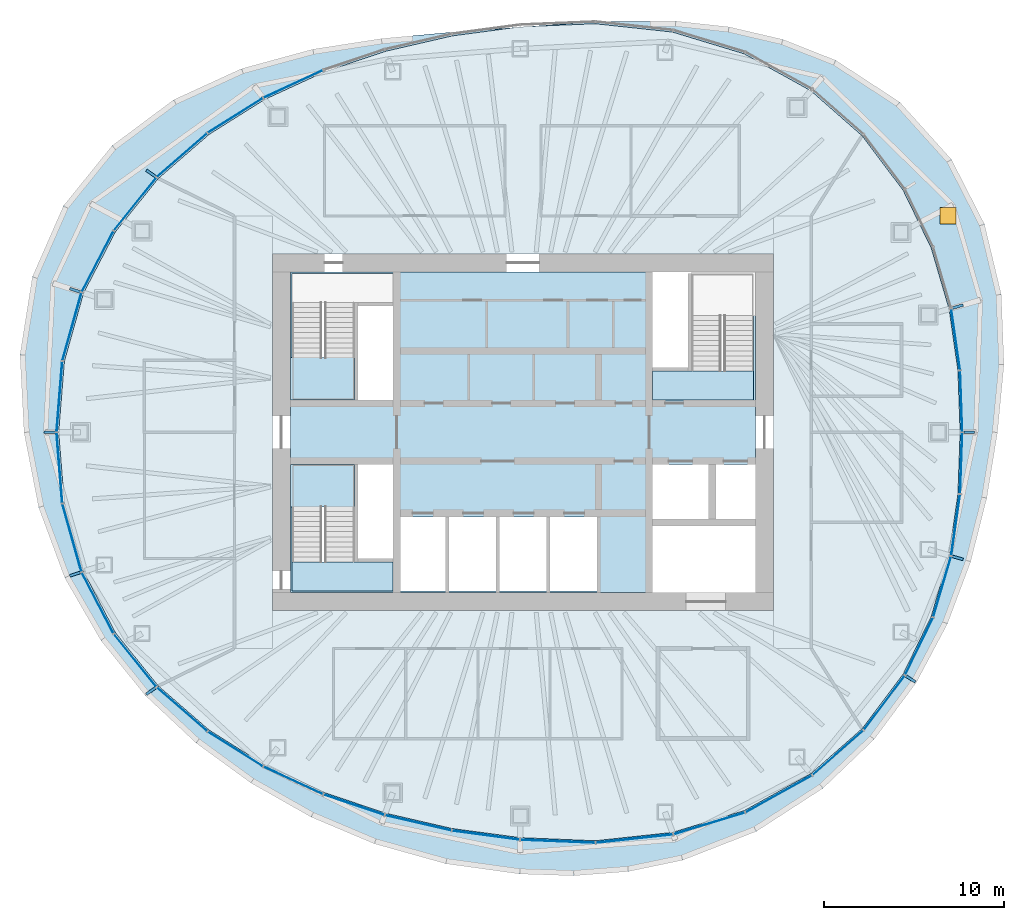
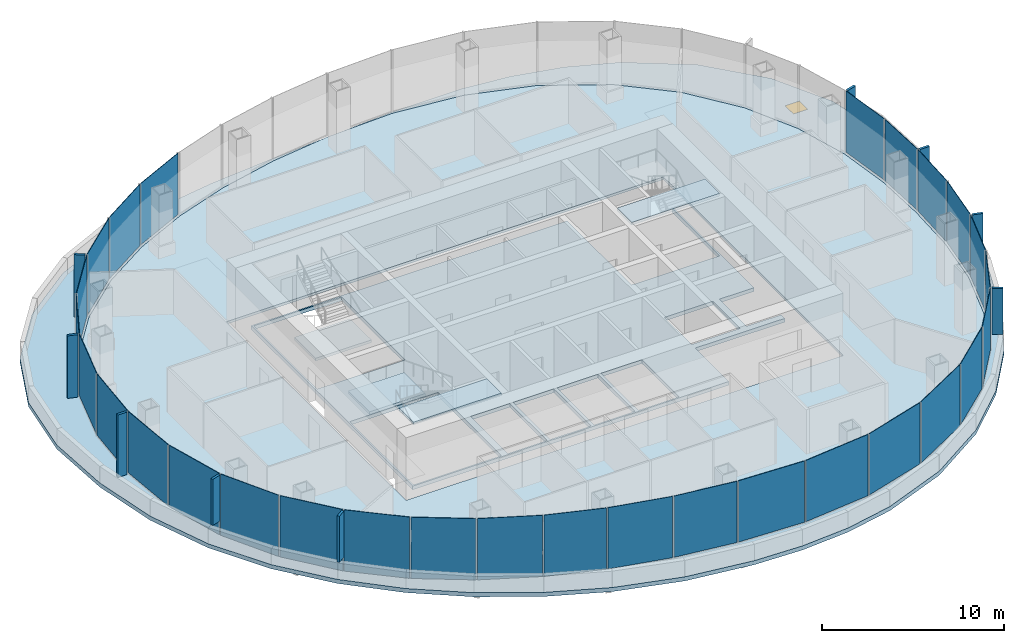
# One storey, part 8 of 13: 38 plates, 7 slabs, 1 window, 1 opening, 18 elements without a shape of their own.
"""IFC4 building model written with IfcOpenShell, lengths in metres."""

import ifcopenshell
import ifcopenshell.guid

model = None  # the IFC model being written
_history = None  # IfcOwnerHistory: only IFC2X3 demands one
_inside = {}  # id of a spatial element -> (the spatial element, [elements in it])
_under = {}  # id of a project, library or spatial element -> (it, [spatial elements below it])
_declared = {}  # id of a project -> (the project, [libraries it declares])
_typed = {}  # id of a type object -> (the type object, [elements of that type])
_made_of = {}  # id of a material, layer set ... -> (it, [elements and type objects made of it])


def new_model(schema):
    """Start an empty IFC model of exactly this schema.

    Asked for "IFC4X3", IfcOpenShell would pick the latest addendum, in which some entities
    have other attributes; the version numbers below select the first issue.
    IFC2X3 requires an IfcOwnerHistory on every rooted entity: one is made here for all.
    """
    global model, _history
    if schema == "IFC4X3":
        model = ifcopenshell.file(schema_version=(4, 3, 0, 0))
    else:
        model = ifcopenshell.file(schema=schema)
    _inside.clear()
    _under.clear()
    _declared.clear()
    _typed.clear()
    _made_of.clear()
    _history = None
    if model.schema == "IFC2X3":
        org = make("IfcOrganization", Name="unknown")
        user = make(
            "IfcPersonAndOrganization",
            ThePerson=make("IfcPerson", FamilyName="unknown"),
            TheOrganization=org,
        )
        app = make(
            "IfcApplication",
            ApplicationDeveloper=org,
            Version="unknown",
            ApplicationFullName="unknown",
            ApplicationIdentifier="unknown",
        )
        _history = make(
            "IfcOwnerHistory",
            OwningUser=user,
            OwningApplication=app,
            ChangeAction="ADDED",
            CreationDate=0,
        )
    return model


def make(cls, **values):
    """One entity of the class cls with the attributes given. An attribute that is None is left unset."""
    return model.create_entity(
        cls, **{name: value for name, value in values.items() if value is not None}
    )


def rooted(cls, **values):
    """An entity with a GlobalId (a new one), such as an element, a storey or a relation."""
    return make(cls, GlobalId=ifcopenshell.guid.new(), OwnerHistory=_history, **values)


def si_unit(unit_type, name, prefix=None):
    """IfcSIUnit, for example si_unit("LENGTHUNIT", "METRE", prefix="MILLI")."""
    return make("IfcSIUnit", UnitType=unit_type, Prefix=prefix, Name=name)


def assignment(units):
    """IfcUnitAssignment: the units of a project."""
    return None if units is None else make("IfcUnitAssignment", Units=units)


def point(xyz):
    """IfcCartesianPoint."""
    return None if xyz is None else make("IfcCartesianPoint", Coordinates=xyz)


def direction(xyz):
    """IfcDirection."""
    return None if xyz is None else make("IfcDirection", DirectionRatios=xyz)


def frame(location, z_axis=None, x_axis=None):
    """IfcAxis2Placement3D, a coordinate frame: its origin and axes. An axis left out is left unset."""
    return make(
        "IfcAxis2Placement3D",
        Location=point(location),
        Axis=direction(z_axis),
        RefDirection=direction(x_axis),
    )


def frame_2d(location, x_axis=None):
    """IfcAxis2Placement2D, a coordinate frame in the plane: its origin and x axis."""
    return make(
        "IfcAxis2Placement2D", Location=point(location), RefDirection=direction(x_axis)
    )


def origin():
    """The frame at (0, 0, 0) with its axes left unset."""
    return frame((0.0, 0.0, 0.0))


def origin_2d():
    """The frame at (0, 0) in the plane with its x axis left unset."""
    return frame_2d((0.0, 0.0))


def place(relative_to, where):
    """IfcLocalPlacement: puts the frame where relative to a parent placement (None: the world)."""
    return make(
        "IfcLocalPlacement", PlacementRelTo=relative_to, RelativePlacement=where
    )


def context(
    kind, dimensions, precision=None, world=None, true_north=None, identifier=None
):
    """IfcGeometricRepresentationContext, for example the 3D "Model" context."""
    return make(
        "IfcGeometricRepresentationContext",
        ContextIdentifier=identifier,
        ContextType=kind,
        CoordinateSpaceDimension=dimensions,
        Precision=precision,
        WorldCoordinateSystem=world,
        TrueNorth=true_north,
    )


def subcontext(parent, identifier, kind, view, scale=None):
    """IfcGeometricRepresentationSubContext, for example "Body" below "Model"."""
    return make(
        "IfcGeometricRepresentationSubContext",
        ContextIdentifier=identifier,
        ContextType=kind,
        ParentContext=parent,
        TargetScale=scale,
        TargetView=view,
    )


def project(units=None, contexts=None):
    """IfcProject with its units and contexts."""
    return rooted(
        "IfcProject",
        Name="project",
        RepresentationContexts=contexts,
        UnitsInContext=assignment(units),
    )


def spatial(cls, under=None, at=None, **own):
    """A site, building, storey or space (cls), placed at a placement, below another one or the project."""
    s = rooted(cls, ObjectPlacement=at, **own)
    if under is not None:
        _under.setdefault(under.id(), (under, []))[1].append(s)
    return s


def polyline(points):
    """IfcPolyline through the points."""
    return make("IfcPolyline", Points=[point(p) for p in points])


def profile(cls, at=None, kind="AREA", **sizes):
    """A parametric profile (cls). Its sizes go by their IFC names, for example OverallWidth=200.0."""
    return make(cls, ProfileType=kind, Position=at, **sizes)


def rectangle(**sizes):
    """IfcRectangleProfileDef."""
    return profile("IfcRectangleProfileDef", **sizes)


def outline(outer, holes=None, kind="AREA"):
    """IfcArbitraryClosedProfileDef: a profile drawn as a closed curve; with holes, ...WithVoids."""
    if holes is None:
        return make("IfcArbitraryClosedProfileDef", ProfileType=kind, OuterCurve=outer)
    return make(
        "IfcArbitraryProfileDefWithVoids",
        ProfileType=kind,
        OuterCurve=outer,
        InnerCurves=holes,
    )


def extrude(swept, where, along, depth):
    """IfcExtrudedAreaSolid: the profile swept, set in the frame where, extruded along a direction by depth."""
    return make(
        "IfcExtrudedAreaSolid",
        SweptArea=swept,
        Position=where,
        ExtrudedDirection=direction(along),
        Depth=depth,
    )


def shape(context_of_items, identifier, shape_type, items):
    """IfcShapeRepresentation: the items that make up one representation, for example the "Body"."""
    return make(
        "IfcShapeRepresentation",
        ContextOfItems=context_of_items,
        RepresentationIdentifier=identifier,
        RepresentationType=shape_type,
        Items=items,
    )


def material(Name=None, Category=None):
    """IfcMaterial."""
    return make("IfcMaterial", Name=Name, Category=Category)


def layer(
    of_material, thickness, ventilated=None, Name=None, Category=None, Priority=None
):
    """IfcMaterialLayer: one layer of a wall or slab, of a material (None: an air gap)."""
    return make(
        "IfcMaterialLayer",
        Material=of_material,
        LayerThickness=thickness,
        IsVentilated=ventilated,
        Name=Name,
        Category=Category,
        Priority=Priority,
    )


def layer_set(layers, Name=None):
    """IfcMaterialLayerSet."""
    return make("IfcMaterialLayerSet", MaterialLayers=layers, LayerSetName=Name)


def made_of(thing, what):
    """Note that an element or type object is made of a material, layer set ...; save() writes the relation."""
    if what is not None:
        _made_of.setdefault(what.id(), (what, []))[1].append(thing)
    return thing


def type_object(cls, material=None, **own):
    """A type object (cls), such as IfcWallType, which elements share."""
    return made_of(rooted(cls, **own), material)


def element(
    cls,
    number,
    at=None,
    inside=None,
    cuts=None,
    type_object=None,
    material=None,
    context=None,
    identifier="Body",
    shape_type=None,
    held_by="IfcProductDefinitionShape",
    body=None,
    shapes=None,
    **own,
):
    """One element of the class cls, such as IfcWall. Its Tag is "e" and its number.

    at: its placement. inside: the storey or other place that contains it. cuts: it is an
    opening in that element (IfcRelVoidsElement). A single representation is given by context,
    identifier, shape_type and body (its items); several are given by shapes. held_by: the class
    of the entity that holds the representations. save() writes the other relations.
    """
    e = rooted(cls, Tag="e%d" % number, ObjectPlacement=at, **own)
    if body is not None:
        shapes = [shape(context, identifier, shape_type, body)]
    if shapes is not None:
        e.Representation = make(held_by, Representations=shapes)
    if inside is not None:
        _inside.setdefault(inside.id(), (inside, []))[1].append(e)
    if cuts is not None:
        rooted(
            "IfcRelVoidsElement", RelatingBuildingElement=cuts, RelatedOpeningElement=e
        )
    if type_object is not None:
        _typed.setdefault(type_object.id(), (type_object, []))[1].append(e)
    return made_of(e, material)


def fill(opening, filler):
    """IfcRelFillsElement: the door or window that sits in an opening."""
    return rooted(
        "IfcRelFillsElement",
        RelatingOpeningElement=opening,
        RelatedBuildingElement=filler,
    )


def aggregate(whole, parts):
    """IfcRelAggregates: a whole, such as a stair, and the parts it consists of."""
    return rooted("IfcRelAggregates", RelatingObject=whole, RelatedObjects=parts)


def save(model, path):
    """Write the relations noted so far, then the file.

    IfcRelAggregates (storeys below a building ...), IfcRelContainedInSpatialStructure (elements
    in a storey), IfcRelDefinesByType, IfcRelAssociatesMaterial and IfcRelDeclares: one each for
    every whole, place, type object, material and project.
    """
    for whole, parts in _under.values():
        aggregate(whole, parts)
    for where, things in _inside.values():
        rooted(
            "IfcRelContainedInSpatialStructure",
            RelatedElements=things,
            RelatingStructure=where,
        )
    for kind, things in _typed.values():
        rooted("IfcRelDefinesByType", RelatedObjects=things, RelatingType=kind)
    for what, things in _made_of.values():
        rooted("IfcRelAssociatesMaterial", RelatedObjects=things, RelatingMaterial=what)
    for by, libraries in _declared.values():
        rooted("IfcRelDeclares", RelatingContext=by, RelatedDefinitions=libraries)
    model.write(path)


model = new_model("IFC4")

# Units and contexts
model_context = context("Model", 3, precision=1e-05, world=origin(), true_north=direction((0.0, 1.0)))
body_context = subcontext(model_context, "Body", "Model", "MODEL_VIEW")
ifc_project = project(units=[si_unit("LENGTHUNIT", "METRE"), si_unit("AREAUNIT", "SQUARE_METRE"), si_unit("VOLUMEUNIT", "CUBIC_METRE"), si_unit("PLANEANGLEUNIT", "RADIAN"), si_unit("MASSUNIT", "GRAM", prefix="KILO")], contexts=[model_context])

# Site, building, storey
site_placement = place(None, origin())
site = spatial("IfcSite", under=ifc_project, at=site_placement, CompositionType="ELEMENT")
building_placement = place(site_placement, origin())
building = spatial("IfcBuilding", under=site, at=building_placement, Name="Ghaith Harvest Tower", CompositionType="ELEMENT")
storey_placement = place(building_placement, frame((0.0, 0.0, 271.199951171875)))
storey = spatial("IfcBuildingStorey", under=building, at=storey_placement, Name="L60", CompositionType="ELEMENT", Elevation=271.199951171875)

# Curtain wall, plates
ifc_material_1 = material(Name="Black anodised aluminium and fritted glass", Category="aluminium")
curtain_wall_type = type_object("IfcCurtainWallType", Name="CW-T CURTAIN WALL", PredefinedType="NOTDEFINED", material=ifc_material_1)
curtain_wall_1_placement = place(storey_placement, origin())
curtain_wall_1 = element("IfcCurtainWall", 1, at=curtain_wall_1_placement, inside=storey, type_object=curtain_wall_type, Name="Curtain wall CW-T bay 01 L60", PredefinedType="NOTDEFINED")
ifc_material_2 = material(Name="Glass, dark solar-control fritted double glazed unit", Category="glass")
ifc_layer_1 = layer(ifc_material_2, 0.033935546875)
ifc_layer_set_1 = layer_set([ifc_layer_1], Name="CW-T VISION PANEL")
plate_type_1 = type_object("IfcPlateType", Name="CW-T VISION PANEL", PredefinedType="CURTAIN_PANEL", material=ifc_layer_set_1)
plate_1_placement = place(storey_placement, frame((24.308837890625, 1.716796875, 0.080078125), z_axis=(0.0, 0.0, 1.0), x_axis=(-0.035536161859, 0.999368391135, 0.0)))
plate_1 = element("IfcPlate", 2, at=plate_1_placement, type_object=plate_type_1, Name="CW-T glass unit 1 bay 01 L60", PredefinedType="CURTAIN_PANEL", context=body_context, shape_type="SweptSolid", body=[
    extrude(rectangle(XDim=3.35595703125, YDim=0.033935546875, at=origin_2d()), origin(), (0.0, 0.0, 1.0), 4.1201171875),
])
plate_2_placement = place(storey_placement, frame((24.00048828125, 5.1494140625, 0.080078125), z_axis=(0.0, 0.0, 1.0), x_axis=(-0.142729771229, 0.989761694755, 0.0)))
plate_2 = element("IfcPlate", 3, at=plate_2_placement, type_object=plate_type_1, Name="CW-T glass unit 2 bay 01 L60", PredefinedType="CURTAIN_PANEL", context=body_context, shape_type="SweptSolid", body=[
    extrude(rectangle(XDim=3.38671875, YDim=0.033935546875, at=origin_2d()), origin(), (0.0, 0.0, 1.0), 4.1201171875),
])
aggregate(curtain_wall_1, [plate_1, plate_2])

# Curtain wall, plate
curtain_wall_2_placement = place(storey_placement, origin())
curtain_wall_2 = element("IfcCurtainWall", 4, at=curtain_wall_2_placement, inside=storey, type_object=curtain_wall_type, Name="Curtain wall CW-T bay 07 L60", PredefinedType="NOTDEFINED")
plate_3_placement = place(storey_placement, frame((-12.736083984375, 19.3203125, 0.080078125), z_axis=(0.0, 0.0, 1.0), x_axis=(-0.907450165401, -0.420159728334, 0.0)))
plate_3 = element("IfcPlate", 5, at=plate_3_placement, type_object=plate_type_1, Name="CW-T glass unit 2 bay 07 L60", PredefinedType="CURTAIN_PANEL", context=body_context, shape_type="SweptSolid", body=[
    extrude(rectangle(XDim=3.597900390625, YDim=0.033935546875, at=origin_2d()), origin(), (0.0, 0.0, 1.0), 4.1201171875),
])
aggregate(curtain_wall_2, [plate_3])

# Curtain wall, plates
curtain_wall_3_placement = place(storey_placement, origin())
curtain_wall_3 = element("IfcCurtainWall", 6, at=curtain_wall_3_placement, inside=storey, type_object=curtain_wall_type, Name="Curtain wall CW-T bay 08 L60", PredefinedType="NOTDEFINED")
plate_4_placement = place(storey_placement, frame((-15.94970703125, 17.57421875, 0.080078125), z_axis=(0.0, 0.0, 1.0), x_axis=(-0.846043473903, -0.533113909279, 0.0)))
plate_4 = element("IfcPlate", 7, at=plate_4_placement, type_object=plate_type_1, Name="CW-T glass unit 1 bay 08 L60", PredefinedType="CURTAIN_PANEL", context=body_context, shape_type="SweptSolid", body=[
    extrude(rectangle(XDim=3.572021484375, YDim=0.033935546875, at=origin_2d()), origin(), (0.0, 0.0, 1.0), 4.1201171875),
])
plate_5_placement = place(storey_placement, frame((-18.909423828125, 15.371337890625, 0.080078125), z_axis=(0.0, 0.0, 1.0), x_axis=(-0.754828549513, -0.655922145411, 0.0)))
plate_5 = element("IfcPlate", 8, at=plate_5_placement, type_object=plate_type_1, Name="CW-T glass unit 2 bay 08 L60", PredefinedType="CURTAIN_PANEL", context=body_context, shape_type="SweptSolid", body=[
    extrude(rectangle(XDim=3.668701171875, YDim=0.033935546875, at=origin_2d()), origin(), (0.0, 0.0, 1.0), 4.1201171875),
])
aggregate(curtain_wall_3, [plate_4, plate_5])

curtain_wall_4_placement = place(storey_placement, origin())
curtain_wall_4 = element("IfcCurtainWall", 9, at=curtain_wall_4_placement, inside=storey, type_object=curtain_wall_type, Name="Curtain wall CW-T bay 09 L60", PredefinedType="NOTDEFINED")
plate_6_placement = place(storey_placement, frame((-21.515380859375, 12.6591796875, 0.080078125), z_axis=(0.0, 0.0, 1.0), x_axis=(-0.626229505742, -0.779638766441, 0.0)))
plate_6 = element("IfcPlate", 10, at=plate_6_placement, type_object=plate_type_1, Name="CW-T glass unit 1 bay 09 L60", PredefinedType="CURTAIN_PANEL", context=body_context, shape_type="SweptSolid", body=[
    extrude(rectangle(XDim=3.723388671875, YDim=0.033935546875, at=origin_2d()), origin(), (0.0, 0.0, 1.0), 4.1201171875),
])
plate_7_placement = place(storey_placement, frame((-23.594482421875, 9.4677734375, 0.080078125), z_axis=(0.0, 0.0, 1.0), x_axis=(-0.461229945578, -0.887280641794, 0.0)))
plate_7 = element("IfcPlate", 11, at=plate_7_placement, type_object=plate_type_1, Name="CW-T glass unit 2 bay 09 L60", PredefinedType="CURTAIN_PANEL", context=body_context, shape_type="SweptSolid", body=[
    extrude(rectangle(XDim=3.771728515625, YDim=0.033935546875, at=origin_2d()), origin(), (0.0, 0.0, 1.0), 4.1201171875),
])
aggregate(curtain_wall_4, [plate_6, plate_7])

curtain_wall_5_placement = place(storey_placement, origin())
curtain_wall_5 = element("IfcCurtainWall", 12, at=curtain_wall_5_placement, inside=storey, type_object=curtain_wall_type, Name="Curtain wall CW-T bay 10 L60", PredefinedType="NOTDEFINED")
plate_8_placement = place(storey_placement, frame((-25.017333984375, 5.85546875, 0.080078125), z_axis=(0.0, 0.0, 1.0), x_axis=(-0.270355239749, -0.962760637095, 0.0)))
plate_8 = element("IfcPlate", 13, at=plate_8_placement, type_object=plate_type_1, Name="CW-T glass unit 1 bay 10 L60", PredefinedType="CURTAIN_PANEL", context=body_context, shape_type="SweptSolid", body=[
    extrude(rectangle(XDim=3.874267578125, YDim=0.033935546875, at=origin_2d()), origin(), (0.0, 0.0, 1.0), 4.1201171875),
])
plate_9_placement = place(storey_placement, frame((-25.7109375, 1.97607421875, 0.080078125), z_axis=(0.0, 0.0, 1.0), x_axis=(-0.080257648011, -0.99677415192, 0.0)))
plate_9 = element("IfcPlate", 14, at=plate_9_placement, type_object=plate_type_1, Name="CW-T glass unit 2 bay 10 L60", PredefinedType="CURTAIN_PANEL", context=body_context, shape_type="SweptSolid", body=[
    extrude(rectangle(XDim=3.884765625, YDim=0.033935546875, at=origin_2d()), origin(), (0.0, 0.0, 1.0), 4.1201171875),
])
aggregate(curtain_wall_5, [plate_8, plate_9])

curtain_wall_6_placement = place(storey_placement, origin())
curtain_wall_6 = element("IfcCurtainWall", 15, at=curtain_wall_6_placement, inside=storey, type_object=curtain_wall_type, Name="Curtain wall CW-T bay 11 L60", PredefinedType="NOTDEFINED")
plate_10_placement = place(storey_placement, frame((-25.7109375, -1.97607421875, 0.080078125), z_axis=(0.0, 0.0, 1.0), x_axis=(0.080257648324, -0.996774151895, 0.0)))
plate_10 = element("IfcPlate", 16, at=plate_10_placement, type_object=plate_type_1, Name="CW-T glass unit 1 bay 11 L60", PredefinedType="CURTAIN_PANEL", context=body_context, shape_type="SweptSolid", body=[
    extrude(rectangle(XDim=3.884765625, YDim=0.033935546875, at=origin_2d()), origin(), (0.0, 0.0, 1.0), 4.1201171875),
])
plate_11_placement = place(storey_placement, frame((-25.017333984375, -5.85546875, 0.080078125), z_axis=(0.0, 0.0, 1.0), x_axis=(0.27035523953, -0.962760637157, 0.0)))
plate_11 = element("IfcPlate", 17, at=plate_11_placement, type_object=plate_type_1, Name="CW-T glass unit 2 bay 11 L60", PredefinedType="CURTAIN_PANEL", context=body_context, shape_type="SweptSolid", body=[
    extrude(rectangle(XDim=3.874267578125, YDim=0.033935546875, at=origin_2d()), origin(), (0.0, 0.0, 1.0), 4.1201171875),
])
aggregate(curtain_wall_6, [plate_10, plate_11])

curtain_wall_7_placement = place(storey_placement, origin())
curtain_wall_7 = element("IfcCurtainWall", 18, at=curtain_wall_7_placement, inside=storey, type_object=curtain_wall_type, Name="Curtain wall CW-T bay 12 L60", PredefinedType="NOTDEFINED")
plate_12_placement = place(storey_placement, frame((-23.594482421875, -9.4677734375, 0.080078125), z_axis=(0.0, 0.0, 1.0), x_axis=(0.461229945377, -0.887280641898, 0.0)))
plate_12 = element("IfcPlate", 19, at=plate_12_placement, type_object=plate_type_1, Name="CW-T glass unit 1 bay 12 L60", PredefinedType="CURTAIN_PANEL", context=body_context, shape_type="SweptSolid", body=[
    extrude(rectangle(XDim=3.771728515625, YDim=0.033935546875, at=origin_2d()), origin(), (0.0, 0.0, 1.0), 4.1201171875),
])
plate_13_placement = place(storey_placement, frame((-21.515380859375, -12.6591796875, 0.080078125), z_axis=(0.0, 0.0, 1.0), x_axis=(0.626229505565, -0.779638766583, 0.0)))
plate_13 = element("IfcPlate", 20, at=plate_13_placement, type_object=plate_type_1, Name="CW-T glass unit 2 bay 12 L60", PredefinedType="CURTAIN_PANEL", context=body_context, shape_type="SweptSolid", body=[
    extrude(rectangle(XDim=3.723388671875, YDim=0.033935546875, at=origin_2d()), origin(), (0.0, 0.0, 1.0), 4.1201171875),
])
aggregate(curtain_wall_7, [plate_12, plate_13])

curtain_wall_8_placement = place(storey_placement, origin())
curtain_wall_8 = element("IfcCurtainWall", 21, at=curtain_wall_8_placement, inside=storey, type_object=curtain_wall_type, Name="Curtain wall CW-T bay 13 L60", PredefinedType="NOTDEFINED")
plate_14_placement = place(storey_placement, frame((-18.909423828125, -15.371337890625, 0.080078125), z_axis=(0.0, 0.0, 1.0), x_axis=(0.754828549376, -0.655922145569, 0.0)))
plate_14 = element("IfcPlate", 22, at=plate_14_placement, type_object=plate_type_1, Name="CW-T glass unit 1 bay 13 L60", PredefinedType="CURTAIN_PANEL", context=body_context, shape_type="SweptSolid", body=[
    extrude(rectangle(XDim=3.668701171875, YDim=0.033935546875, at=origin_2d()), origin(), (0.0, 0.0, 1.0), 4.1201171875),
])
plate_15_placement = place(storey_placement, frame((-15.94970703125, -17.57421875, 0.080078125), z_axis=(0.0, 0.0, 1.0), x_axis=(0.846043474052, -0.533113909042, 0.0)))
plate_15 = element("IfcPlate", 23, at=plate_15_placement, type_object=plate_type_1, Name="CW-T glass unit 2 bay 13 L60", PredefinedType="CURTAIN_PANEL", context=body_context, shape_type="SweptSolid", body=[
    extrude(rectangle(XDim=3.572021484375, YDim=0.033935546875, at=origin_2d()), origin(), (0.0, 0.0, 1.0), 4.1201171875),
])
aggregate(curtain_wall_8, [plate_14, plate_15])

curtain_wall_9_placement = place(storey_placement, origin())
curtain_wall_9 = element("IfcCurtainWall", 24, at=curtain_wall_9_placement, inside=storey, type_object=curtain_wall_type, Name="Curtain wall CW-T bay 14 L60", PredefinedType="NOTDEFINED")
plate_16_placement = place(storey_placement, frame((-12.736083984375, -19.3203125, 0.080078125), z_axis=(0.0, 0.0, 1.0), x_axis=(0.907450165812, -0.420159727447, 0.0)))
plate_16 = element("IfcPlate", 25, at=plate_16_placement, type_object=plate_type_1, Name="CW-T glass unit 1 bay 14 L60", PredefinedType="CURTAIN_PANEL", context=body_context, shape_type="SweptSolid", body=[
    extrude(rectangle(XDim=3.597900390625, YDim=0.033935546875, at=origin_2d()), origin(), (0.0, 0.0, 1.0), 4.1201171875),
])
plate_17_placement = place(storey_placement, frame((-9.369140625, -20.665771484375, 0.080078125), z_axis=(0.0, 0.0, 1.0), x_axis=(0.947586403597, -0.319499620843, 0.0)))
plate_17 = element("IfcPlate", 26, at=plate_17_placement, type_object=plate_type_1, Name="CW-T glass unit 2 bay 14 L60", PredefinedType="CURTAIN_PANEL", context=body_context, shape_type="SweptSolid", body=[
    extrude(rectangle(XDim=3.50439453125, YDim=0.033935546875, at=origin_2d()), origin(), (0.0, 0.0, 1.0), 4.1201171875),
])
aggregate(curtain_wall_9, [plate_16, plate_17])

curtain_wall_10_placement = place(storey_placement, origin())
curtain_wall_10 = element("IfcCurtainWall", 27, at=curtain_wall_10_placement, inside=storey, type_object=curtain_wall_type, Name="Curtain wall CW-T bay 15 L60", PredefinedType="NOTDEFINED")
plate_18_placement = place(storey_placement, frame((-5.80859375, -21.66845703125, 0.080078125), z_axis=(0.0, 0.0, 1.0), x_axis=(0.974342245521, -0.225071518838, 0.0)))
plate_18 = element("IfcPlate", 28, at=plate_18_placement, type_object=plate_type_1, Name="CW-T glass unit 1 bay 15 L60", PredefinedType="CURTAIN_PANEL", context=body_context, shape_type="SweptSolid", body=[
    extrude(rectangle(XDim=3.742431640625, YDim=0.033935546875, at=origin_2d()), origin(), (0.0, 0.0, 1.0), 4.1201171875),
])
plate_19_placement = place(storey_placement, frame((-2.050537109375, -22.352294921875, 0.080078125), z_axis=(0.0, 0.0, 1.0), x_axis=(0.991165262684, -0.132632658301, 0.0)))
plate_19 = element("IfcPlate", 29, at=plate_19_placement, type_object=plate_type_1, Name="CW-T glass unit 2 bay 15 L60", PredefinedType="CURTAIN_PANEL", context=body_context, shape_type="SweptSolid", body=[
    extrude(rectangle(XDim=3.74560546875, YDim=0.033935546875, at=origin_2d()), origin(), (0.0, 0.0, 1.0), 4.1201171875),
])
aggregate(curtain_wall_10, [plate_18, plate_19])

curtain_wall_11_placement = place(storey_placement, origin())
curtain_wall_11 = element("IfcCurtainWall", 30, at=curtain_wall_11_placement, inside=storey, type_object=curtain_wall_type, Name="Curtain wall CW-T bay 16 L60", PredefinedType="NOTDEFINED")
plate_20_placement = place(storey_placement, frame((1.94140625, -22.691162109375, 0.080078125), z_axis=(0.0, 0.0, 1.0), x_axis=(0.999173925863, -0.040638231706, 0.0)))
plate_20 = element("IfcPlate", 31, at=plate_20_placement, type_object=plate_type_1, Name="CW-T glass unit 1 bay 16 L60", PredefinedType="CURTAIN_PANEL", context=body_context, shape_type="SweptSolid", body=[
    extrude(rectangle(XDim=4.115966796875, YDim=0.033935546875, at=origin_2d()), origin(), (0.0, 0.0, 1.0), 4.1201171875),
])
plate_21_placement = place(storey_placement, frame((6.188720703125, -22.542724609375, 0.080078125), z_axis=(0.0, 0.0, 1.0), x_axis=(0.994142883417, 0.108073712581, 0.0)))
plate_21 = element("IfcPlate", 32, at=plate_21_placement, type_object=plate_type_1, Name="CW-T glass unit 2 bay 16 L60", PredefinedType="CURTAIN_PANEL", context=body_context, shape_type="SweptSolid", body=[
    extrude(rectangle(XDim=4.24755859375, YDim=0.033935546875, at=origin_2d()), origin(), (0.0, 0.0, 1.0), 4.1201171875),
])
aggregate(curtain_wall_11, [plate_20, plate_21])

curtain_wall_12_placement = place(storey_placement, origin())
curtain_wall_12 = element("IfcCurtainWall", 33, at=curtain_wall_12_placement, inside=storey, type_object=curtain_wall_type, Name="Curtain wall CW-T bay 17 L60", PredefinedType="NOTDEFINED")
plate_22_placement = place(storey_placement, frame((10.337158203125, -21.700439453125, 0.080078125), z_axis=(0.0, 0.0, 1.0), x_axis=(0.956587736012, 0.291444511548, 0.0)))
plate_22 = element("IfcPlate", 34, at=plate_22_placement, type_object=plate_type_1, Name="CW-T glass unit 1 bay 17 L60", PredefinedType="CURTAIN_PANEL", context=body_context, shape_type="SweptSolid", body=[
    extrude(rectangle(XDim=4.095703125, YDim=0.033935546875, at=origin_2d()), origin(), (0.0, 0.0, 1.0), 4.1201171875),
])
plate_23_placement = place(storey_placement, frame((14.19189453125, -20.06201171875, 0.080078125), z_axis=(0.0, 0.0, 1.0), x_axis=(0.874564022715, 0.484910064004, 0.0)))
plate_23 = element("IfcPlate", 35, at=plate_23_placement, type_object=plate_type_1, Name="CW-T glass unit 2 bay 17 L60", PredefinedType="CURTAIN_PANEL", context=body_context, shape_type="SweptSolid", body=[
    extrude(rectangle(XDim=4.167724609375, YDim=0.033935546875, at=origin_2d()), origin(), (0.0, 0.0, 1.0), 4.1201171875),
])
aggregate(curtain_wall_12, [plate_22, plate_23])

curtain_wall_13_placement = place(storey_placement, origin())
curtain_wall_13 = element("IfcCurtainWall", 36, at=curtain_wall_13_placement, inside=storey, type_object=curtain_wall_type, Name="Curtain wall CW-T bay 18 L60", PredefinedType="NOTDEFINED")
plate_24_placement = place(storey_placement, frame((17.47509765625, -17.779541015625, 0.080078125), z_axis=(0.0, 0.0, 1.0), x_axis=(0.751334532577, 0.659921525757, 0.0)))
plate_24 = element("IfcPlate", 37, at=plate_24_placement, type_object=plate_type_1, Name="CW-T glass unit 1 bay 18 L60", PredefinedType="CURTAIN_PANEL", context=body_context, shape_type="SweptSolid", body=[
    extrude(rectangle(XDim=3.7158203125, YDim=0.033935546875, at=origin_2d()), origin(), (0.0, 0.0, 1.0), 4.1201171875),
])
plate_25_placement = place(storey_placement, frame((20.045166015625, -15.006103515625, 0.080078125), z_axis=(0.0, 0.0, 1.0), x_axis=(0.601047892945, 0.799213006892, 0.0)))
plate_25 = element("IfcPlate", 38, at=plate_25_placement, type_object=plate_type_1, Name="CW-T glass unit 2 bay 18 L60", PredefinedType="CURTAIN_PANEL", context=body_context, shape_type="SweptSolid", body=[
    extrude(rectangle(XDim=3.7265625, YDim=0.033935546875, at=origin_2d()), origin(), (0.0, 0.0, 1.0), 4.1201171875),
])
aggregate(curtain_wall_13, [plate_24, plate_25])

curtain_wall_14_placement = place(storey_placement, origin())
curtain_wall_14 = element("IfcCurtainWall", 39, at=curtain_wall_14_placement, inside=storey, type_object=curtain_wall_type, Name="Curtain wall CW-T bay 19 L60", PredefinedType="NOTDEFINED")
plate_26_placement = place(storey_placement, frame((21.9716796875, -11.878662109375, 0.080078125), z_axis=(0.0, 0.0, 1.0), x_axis=(0.437968365352, 0.898990384237, 0.0)))
plate_26 = element("IfcPlate", 40, at=plate_26_placement, type_object=plate_type_1, Name="CW-T glass unit 1 bay 19 L60", PredefinedType="CURTAIN_PANEL", context=body_context, shape_type="SweptSolid", body=[
    extrude(rectangle(XDim=3.49365234375, YDim=0.033935546875, at=origin_2d()), origin(), (0.0, 0.0, 1.0), 4.1201171875),
])
plate_27_placement = place(storey_placement, frame((23.253662109375, -8.56884765625, 0.080078125), z_axis=(0.0, 0.0, 1.0), x_axis=(0.281344622977, 0.9596067961, 0.0)))
plate_27 = element("IfcPlate", 41, at=plate_27_placement, type_object=plate_type_1, Name="CW-T glass unit 2 bay 19 L60", PredefinedType="CURTAIN_PANEL", context=body_context, shape_type="SweptSolid", body=[
    extrude(rectangle(XDim=3.470703125, YDim=0.033935546875, at=origin_2d()), origin(), (0.0, 0.0, 1.0), 4.1201171875),
])
aggregate(curtain_wall_14, [plate_26, plate_27])

curtain_wall_15_placement = place(storey_placement, origin())
curtain_wall_15 = element("IfcCurtainWall", 42, at=curtain_wall_15_placement, inside=storey, type_object=curtain_wall_type, Name="Curtain wall CW-T bay 20 L60", PredefinedType="NOTDEFINED")
plate_28_placement = place(storey_placement, frame((24.00048828125, -5.1494140625, 0.080078125), z_axis=(0.0, 0.0, 1.0), x_axis=(0.142729771402, 0.98976169473, 0.0)))
plate_28 = element("IfcPlate", 43, at=plate_28_placement, type_object=plate_type_1, Name="CW-T glass unit 1 bay 20 L60", PredefinedType="CURTAIN_PANEL", context=body_context, shape_type="SweptSolid", body=[
    extrude(rectangle(XDim=3.38671875, YDim=0.033935546875, at=origin_2d()), origin(), (0.0, 0.0, 1.0), 4.1201171875),
])
plate_29_placement = place(storey_placement, frame((24.308837890625, -1.716796875, 0.080078125), z_axis=(0.0, 0.0, 1.0), x_axis=(0.035536161929, 0.999368391133, 0.0)))
plate_29 = element("IfcPlate", 44, at=plate_29_placement, type_object=plate_type_1, Name="CW-T glass unit 2 bay 20 L60", PredefinedType="CURTAIN_PANEL", context=body_context, shape_type="SweptSolid", body=[
    extrude(rectangle(XDim=3.35595703125, YDim=0.033935546875, at=origin_2d()), origin(), (0.0, 0.0, 1.0), 4.1201171875),
])
aggregate(curtain_wall_15, [plate_28, plate_29])

# Slabs
ifc_material_3 = material(Name="Concrete C40/50", Category="concrete")
ifc_layer_2 = layer(ifc_material_3, 0.169921875)
ifc_layer_set_2 = layer_set([ifc_layer_2], Name="FLOOR SLAB 170")
slab_type_1 = type_object("IfcSlabType", Name="FLOOR SLAB 170", PredefinedType="FLOOR", material=ifc_layer_set_2)
slab_1_placement = place(storey_placement, frame((0.0, 0.0, -0.169921875)))
element("IfcSlab", 45, at=slab_1_placement, inside=storey, type_object=slab_type_1, Name="Floor slab L60", PredefinedType="FLOOR", context=body_context, shape_type="SweptSolid", body=[
    extrude(outline(polyline([(24.25, 0.0), (24.129150390625, 3.4169921875), (23.6376953125, 6.831787109375), (22.644775390625, 10.222900390625), (21.087890625, 13.42041015625), (18.810791015625, 16.4482421875), (15.971923828125, 18.940185546875), (12.273681640625, 20.98828125), (8.2978515625, 22.1962890625), (4.016845703125, 22.658447265625), (-0.15380859375, 22.486083984375), (-3.92529296875, 21.98046875), (-7.6298828125, 21.12548828125), (-11.009521484375, 19.98779296875), (-14.331298828125, 18.452880859375), (-17.40771484375, 16.518310546875), (-20.225830078125, 14.0732421875), (-22.5986328125, 11.12353515625), (-24.368408203125, 7.722900390625), (-25.43310546875, 3.93359375), (-25.75, 0.0), (-25.43310546875, -3.93359375), (-24.368408203125, -7.722900390625), (-22.5986328125, -11.12353515625), (-20.225830078125, -14.0732421875), (-17.40771484375, -16.518310546875), (-14.331298828125, -18.452880859375), (-11.009521484375, -19.98779296875), (-7.6298828125, -21.12548828125), (-3.92529296875, -21.98046875), (-0.15380859375, -22.486083984375), (4.016845703125, -22.658447265625), (8.2978515625, -22.1962890625), (12.273681640625, -20.98828125), (15.971923828125, -18.940185546875), (18.810791015625, -16.4482421875), (21.087890625, -13.42041015625), (22.644775390625, -10.222900390625), (23.6376953125, -6.831787109375), (24.129150390625, -3.4169921875), (24.25, 0.0)]), holes=[polyline([(-13.89990234375, -9.89990234375), (13.89990234375, -9.89990234375), (13.89990234375, 9.89990234375), (-13.89990234375, 9.89990234375), (-13.89990234375, -9.89990234375)])]), origin(), (0.0, 0.0, 1.0), 0.169921875),
])
ifc_material_4 = material(Name="Concrete C40/50", Category="concrete")
ifc_layer_3 = layer(ifc_material_4, 0.25)
ifc_layer_set_3 = layer_set([ifc_layer_3], Name="FLOOR SLAB 250")
slab_type_2 = type_object("IfcSlabType", Name="FLOOR SLAB 250", PredefinedType="FLOOR", material=ifc_layer_set_3)
slab_2_placement = place(storey_placement, frame((0.0, 0.0, -0.25)))
element("IfcSlab", 46, at=slab_2_placement, inside=storey, type_object=slab_type_2, Name="Core slab L60", PredefinedType="FLOOR", context=body_context, shape_type="SweptSolid", body=[
    extrude(outline(polyline([(-12.89990234375, 8.89990234375), (7.199951171875, 8.89990234375), (7.199951171875, 1.800048828125), (12.800048828125, 1.800048828125), (12.800048828125, 7.02001953125), (12.89990234375, 7.02001953125), (12.89990234375, -1.800048828125), (10.699951171875, -1.800048828125), (10.699951171875, -4.800048828125), (12.89990234375, -4.800048828125), (12.89990234375, -5.199951171875), (7.199951171875, -5.199951171875), (7.199951171875, -8.89990234375), (-12.89990234375, -8.89990234375), (-12.89990234375, 8.89990234375)]), holes=[polyline([(-4.300048828125, -4.699951171875), (-6.800048828125, -4.699951171875), (-6.800048828125, -8.800048828125), (-4.300048828125, -8.800048828125), (-4.300048828125, -4.699951171875)]), polyline([(-1.5, -4.699951171875), (-4.10009765625, -4.699951171875), (-4.10009765625, -8.800048828125), (-1.5, -8.800048828125), (-1.5, -4.699951171875)]), polyline([(1.300048828125, -8.800048828125), (1.300048828125, -4.699951171875), (-1.300048828125, -4.699951171875), (-1.300048828125, -8.800048828125), (1.300048828125, -8.800048828125)]), polyline([(4.10009765625, -8.800048828125), (4.10009765625, -4.699951171875), (1.5, -4.699951171875), (1.5, -8.800048828125), (4.10009765625, -8.800048828125)]), polyline([(-7.199951171875, -1.800048828125), (-12.800048828125, -1.800048828125), (-12.800048828125, -8.800048828125), (-7.199951171875, -8.800048828125), (-7.199951171875, -1.800048828125)]), polyline([(10.300048828125, -1.800048828125), (7.199951171875, -1.800048828125), (7.199951171875, -4.800048828125), (10.300048828125, -4.800048828125), (10.300048828125, -1.800048828125)]), polyline([(-12.800048828125, 1.800048828125), (-7.199951171875, 1.800048828125), (-7.199951171875, 8.800048828125), (-12.800048828125, 8.800048828125), (-12.800048828125, 1.800048828125)])]), origin(), (0.0, 0.0, 1.0), 0.25),
])

# Slab, opening, window
ifc_material_5 = material(Name="Concrete C40/50", Category="concrete")
ifc_layer_4 = layer(ifc_material_5, 0.27490234375)
ifc_layer_set_4 = layer_set([ifc_layer_4], Name="ROOF SLAB 275")
slab_type_3 = type_object("IfcSlabType", Name="ROOF SLAB 275", PredefinedType="ROOF", material=ifc_layer_set_4)
slab_3_placement = place(storey_placement, frame((0.0, 0.0, -0.27490234375)))
slab_3 = element("IfcSlab", 47, at=slab_3_placement, inside=storey, type_object=slab_type_3, Name="Maintenance roof", PredefinedType="ROOF", context=body_context, shape_type="SweptSolid", body=[
    extrude(outline(polyline([(25.734375, -3.644287109375), (24.840576171875, -7.179443359375), (23.548828125, -10.631103515625), (21.821533203125, -13.887451171875), (19.48388671875, -17.036865234375), (16.651611328125, -19.746337890625), (12.949462890625, -22.1435546875), (8.8740234375, -23.73779296875), (5.865234375, -24.3662109375), (2.833984375, -24.602294921875), (-0.167724609375, -24.505126953125), (-4.27490234375, -23.9375), (-8.2451171875, -22.82861328125), (-11.75732421875, -21.345703125), (-15.10400390625, -19.447998046875), (-18.15087890625, -17.223388671875), (-20.963134765625, -14.586181640625), (-23.425537109375, -11.530517578125), (-25.424072265625, -8.057373046875), (-26.86669921875, -4.155517578125), (-27.675048828125, 0.0), (-27.897216796875, 4.314697265625), (-27.211181640625, 8.623779296875), (-25.491943359375, 12.547607421875), (-22.809814453125, 15.87109375), (-19.408203125, 18.41650390625), (-15.6474609375, 20.147705078125), (-11.694580078125, 21.2314453125), (-7.8837890625, 21.827880859375), (-3.963134765625, 22.192138671875), (-0.408203125, 22.451904296875), (-3.92529296875, 21.98046875), (-7.6298828125, 21.12548828125), (-11.009521484375, 19.98779296875), (-14.331298828125, 18.452880859375), (-17.40771484375, 16.518310546875), (-20.225830078125, 14.0732421875), (-22.5986328125, 11.12353515625), (-24.368408203125, 7.722900390625), (-25.43310546875, 3.93359375), (-25.75, 0.0), (-25.43310546875, -3.93359375), (-24.368408203125, -7.722900390625), (-22.5986328125, -11.12353515625), (-20.225830078125, -14.0732421875), (-17.40771484375, -16.518310546875), (-14.331298828125, -18.452880859375), (-11.009521484375, -19.98779296875), (-7.6298828125, -21.12548828125), (-3.92529296875, -21.98046875), (-0.15380859375, -22.486083984375), (4.016845703125, -22.658447265625), (8.2978515625, -22.1962890625), (12.273681640625, -20.98828125), (15.971923828125, -18.940185546875), (18.810791015625, -16.4482421875), (21.087890625, -13.42041015625), (22.644775390625, -10.222900390625), (23.6376953125, -6.831787109375), (24.129150390625, -3.4169921875), (24.25, 0.0), (24.129150390625, 3.4169921875), (23.6376953125, 6.831787109375), (22.644775390625, 10.222900390625), (21.087890625, 13.42041015625), (18.810791015625, 16.4482421875), (15.971923828125, 18.940185546875), (12.273681640625, 20.98828125), (8.2978515625, 22.1962890625), (4.016845703125, 22.658447265625), (0.3193359375, 22.505615234375), (4.03857421875, 22.78125), (8.522216796875, 22.796875), (11.47265625, 22.47265625), (14.460693359375, 21.771484375), (17.382080078125, 20.612548828125), (20.923095703125, 18.295166015625), (23.77294921875, 15.12939453125), (25.597900390625, 11.55615234375), (26.531005859375, 7.668212890625), (26.685791015625, 3.779052734375), (26.324951171875, 0.0), (25.734375, -3.644287109375)])), origin(), (0.0, 0.0, 1.0), 0.27490234375),
])
opening_placement = place(slab_3_placement, frame((23.576904296875, 12.012939453125, 0.0)))
opening = element("IfcOpeningElement", 48, at=opening_placement, cuts=slab_3, Name="Opening RH1", PredefinedType="OPENING", context=body_context, shape_type="SweptSolid", body=[
    extrude(rectangle(XDim=0.89990234375, YDim=0.89990234375, at=origin_2d()), origin(), (0.0, 0.0, 1.0), 0.27490234375),
])
ifc_material_6 = material(Name="Aluminium hatch", Category="aluminium")
window_type = type_object("IfcWindowType", Name="ROOF ACCESS HATCH 900x900", PartitioningType="SINGLE_PANEL", PredefinedType="SKYLIGHT", material=ifc_material_6)
window_placement = place(opening_placement, frame((0.0, 0.0, 0.224853515625)))
window = element("IfcWindow", 49, at=window_placement, inside=storey, type_object=window_type, Name="Roof access hatch L60", OverallHeight=0.89990234375, OverallWidth=0.89990234375, PartitioningType="SINGLE_PANEL", PredefinedType="SKYLIGHT", context=body_context, shape_type="SweptSolid", body=[
    extrude(rectangle(XDim=0.89990234375, YDim=0.89990234375, at=origin_2d()), origin(), (0.0, 0.0, 1.0), 0.050048828125),
])
fill(opening, window)

# Stair, slab
ifc_material_7 = material(Name="Concrete C40/50, precast", Category="concrete")
stair_type = type_object("IfcStairType", Name="CORE STAIR 24R", PredefinedType="HALF_TURN_STAIR", material=ifc_material_7)
stair_1_placement = place(storey_placement, origin())
stair_1 = element("IfcStair", 50, at=stair_1_placement, inside=storey, type_object=stair_type, Name="Stair ST1 L60", PredefinedType="HALF_TURN_STAIR")
ifc_material_8 = material(Name="Concrete C40/50, precast", Category="concrete")
ifc_layer_5 = layer(ifc_material_8, 0.179931640625)
ifc_layer_set_5 = layer_set([ifc_layer_5], Name="STAIR LANDING 180")
slab_type_4 = type_object("IfcSlabType", Name="STAIR LANDING 180", PredefinedType="LANDING", material=ifc_layer_set_5)
slab_4_placement = place(storey_placement, frame((0.0, 0.0, 1.920166015625)))
slab_4 = element("IfcSlab", 51, at=slab_4_placement, type_object=slab_type_4, Name="ST1 landing 1", PredefinedType="LANDING", context=body_context, shape_type="SweptSolid", body=[
    extrude(outline(polyline([(-12.89990234375, 4.139892578125), (-12.89990234375, 1.800048828125), (-9.35009765625, 1.800048828125), (-9.35009765625, 4.139892578125), (-12.89990234375, 4.139892578125)])), origin(), (0.0, 0.0, 1.0), 0.179931640625),
])
aggregate(stair_1, [slab_4])

# Stair, slabs
stair_2_placement = place(storey_placement, origin())
stair_2 = element("IfcStair", 52, at=stair_2_placement, inside=storey, type_object=stair_type, Name="Stair ST3 L60", PredefinedType="HALF_TURN_STAIR")
slab_5_placement = place(storey_placement, frame((0.0, 0.0, 1.920166015625)))
slab_5 = element("IfcSlab", 53, at=slab_5_placement, type_object=slab_type_4, Name="ST3 landing 1", PredefinedType="LANDING", context=body_context, shape_type="SweptSolid", body=[
    extrude(outline(polyline([(-12.89990234375, -4.139892578125), (-12.89990234375, -1.800048828125), (-9.35009765625, -1.800048828125), (-9.35009765625, -4.139892578125), (-12.89990234375, -4.139892578125)])), origin(), (0.0, 0.0, 1.0), 0.179931640625),
])
slab_6_placement = place(storey_placement, frame((0.0, 0.0, 4.02001953125)))
slab_6 = element("IfcSlab", 54, at=slab_6_placement, type_object=slab_type_4, Name="ST3 landing 2", PredefinedType="LANDING", context=body_context, shape_type="SweptSolid", body=[
    extrude(outline(polyline([(-12.800048828125, -8.800048828125), (-12.800048828125, -7.199951171875), (-7.199951171875, -7.199951171875), (-7.199951171875, -8.800048828125), (-12.800048828125, -8.800048828125)])), origin(), (0.0, 0.0, 1.0), 0.179931640625),
])
aggregate(stair_2, [slab_5, slab_6])

# Stair, slab
stair_3_placement = place(storey_placement, origin())
stair_3 = element("IfcStair", 55, at=stair_3_placement, inside=storey, type_object=stair_type, Name="Stair ST2 L60", PredefinedType="HALF_TURN_STAIR")
slab_7_placement = place(storey_placement, frame((0.0, 0.0, 4.02001953125)))
slab_7 = element("IfcSlab", 56, at=slab_7_placement, type_object=slab_type_4, Name="ST2 landing 2", PredefinedType="LANDING", context=body_context, shape_type="SweptSolid", body=[
    extrude(outline(polyline([(12.800048828125, 1.800048828125), (12.800048828125, 3.39990234375), (7.199951171875, 3.39990234375), (7.199951171875, 1.800048828125), (12.800048828125, 1.800048828125)])), origin(), (0.0, 0.0, 1.0), 0.179931640625),
])
aggregate(stair_3, [slab_7])

# Plates
ifc_material_9 = material(Name="Glassfibre-reinforced concrete", Category="concrete")
ifc_layer_6 = layer(ifc_material_9, 0.14990234375)
ifc_layer_set_6 = layer_set([ifc_layer_6], Name="SUN-BREAKER FIN 600x150")
plate_type_2 = type_object("IfcPlateType", Name="SUN-BREAKER FIN 600x150", PredefinedType="USERDEFINED", material=ifc_layer_set_6)
for number, where, z_axis, x_axis, name in (
    (57, (24.760009765625, 0.0, 0.0), (0.0, 0.0, 1.0), (1.0, 0.0, 0.0), "Sun-breaker fin CW-T 1 bay 01 L60"),
    (58, (24.127685546875, 6.973388671875, 0.0), (0.0, 0.0, 1.0), (0.960680349985, 0.277656739792, 0.0), "Sun-breaker fin CW-T 1 bay 02 L60"),
    (59, (-20.64453125, 14.364501953125, 0.0), (0.0, 0.0, 1.0), (-0.820845486523, 0.571150319316, 0.0), "Sun-breaker fin CW-T 1 bay 09 L60"),
    (60, (-24.8544921875, 7.876708984375, 0.0), (0.0, 0.0, 1.0), (-0.953273219358, 0.302109531884, 0.0), "Sun-breaker fin CW-T 1 bay 10 L60"),
    (61, (-26.260009765625, 0.0, 0.0), (0.0, 0.0, 1.0), (-1.0, -4.19e-10, 0.0), "Sun-breaker fin CW-T 1 bay 11 L60"),
):
    element("IfcPlate", number, at=place(storey_placement, frame(where, z_axis=z_axis, x_axis=x_axis)), inside=storey, type_object=plate_type_2, Name=name, ObjectType="SUN-BREAKER FIN", PredefinedType="USERDEFINED", context=body_context, shape_type="SweptSolid", body=[
        extrude(rectangle(XDim=0.60009765625, YDim=0.14990234375, at=origin_2d()), origin(), (0.0, 0.0, 1.0), 4.199951171875),
    ])
for number, where, z_axis, x_axis, name in (
    (62, (-24.8544921875, -7.876708984375, 1.10009765625), (0.0, 0.0, 1.0), (-0.953273219416, -0.302109531701, 0.0), "Sun-breaker fin CW-T 1 bay 12 L60"),
    (63, (-20.64453125, -14.364501953125, 1.10009765625), (0.0, 0.0, 1.0), (-0.820845486622, -0.571150319173, 0.0), "Sun-breaker fin CW-T 1 bay 13 L60"),
    (64, (21.51806640625, -13.6943359375, 1.10009765625), (0.0, 0.0, 1.0), (0.84364397137, -0.536903016913, 0.0), "Sun-breaker fin CW-T 1 bay 19 L60"),
):
    element("IfcPlate", number, at=place(storey_placement, frame(where, z_axis=z_axis, x_axis=x_axis)), inside=storey, type_object=plate_type_2, Name=name, ObjectType="SUN-BREAKER FIN", PredefinedType="USERDEFINED", context=body_context, shape_type="SweptSolid", body=[
        extrude(rectangle(XDim=0.60009765625, YDim=0.14990234375, at=origin_2d()), origin(), (0.0, 0.0, 1.0), 3.10009765625),
    ])
plate_30_placement = place(storey_placement, frame((24.127685546875, -6.973388671875, 0.0), z_axis=(0.0, 0.0, 1.0), x_axis=(0.960680349932, -0.277656739976, 0.0)))
element("IfcPlate", 65, at=plate_30_placement, inside=storey, type_object=plate_type_2, Name="Sun-breaker fin CW-T 1 bay 20 L60", ObjectType="SUN-BREAKER FIN", PredefinedType="USERDEFINED", context=body_context, shape_type="SweptSolid", body=[
    extrude(rectangle(XDim=0.60009765625, YDim=0.14990234375, at=origin_2d()), origin(), (0.0, 0.0, 1.0), 4.199951171875),
])

save(model, "model.ifc")
